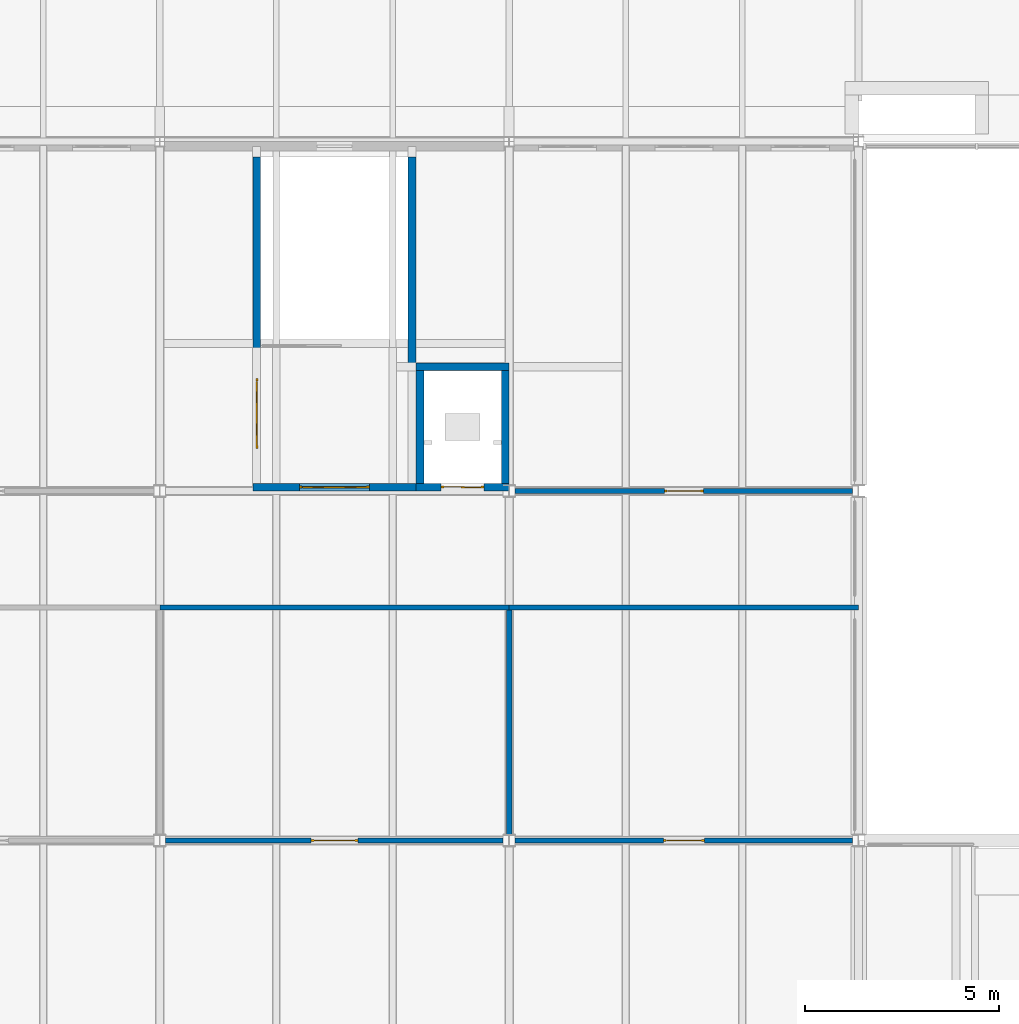
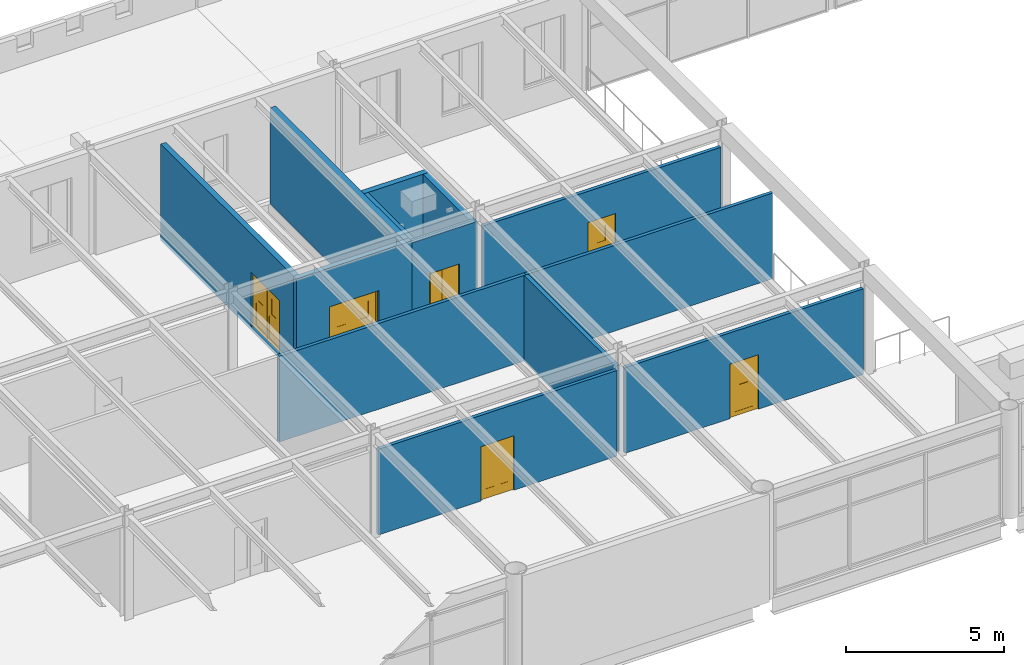
# One storey, part 73 of 123: 13 walls, 6 doors, 6 openings.
"""IFC4 building model written with IfcOpenShell, lengths in metres."""

from ifc_helpers import new_model, si_unit, direction, frame, frame_2d, origin, place, context, subcontext, project, spatial, polyline, rectangle, outline, extrude, material, layer, layer_set, type_object, element, fill, save


model = new_model("IFC4")

# Units and contexts
model_context = context("Model", 3, precision=1e-05, world=origin(), true_north=direction((0.0, 1.0)))
body_context = subcontext(model_context, "Body", "Model", "MODEL_VIEW")
ifc_project = project(units=[si_unit("LENGTHUNIT", "METRE"), si_unit("AREAUNIT", "SQUARE_METRE"), si_unit("VOLUMEUNIT", "CUBIC_METRE"), si_unit("PLANEANGLEUNIT", "RADIAN"), si_unit("MASSUNIT", "GRAM", prefix="KILO")], contexts=[model_context])

# Site, building, storey
site_placement = place(None, origin())
site = spatial("IfcSite", under=ifc_project, at=site_placement, CompositionType="ELEMENT")
building_placement = place(site_placement, origin())
building = spatial("IfcBuilding", under=site, at=building_placement, Name="Baradari Gate Terminus", CompositionType="ELEMENT")
storey_placement = place(building_placement, frame((0.0, 0.0, 7.5)))
storey = spatial("IfcBuildingStorey", under=building, at=storey_placement, Name="L01", CompositionType="ELEMENT", Elevation=7.5)

# Walls
ifc_material_1 = material(Name="Gypsum board")
ifc_layer_1 = layer(ifc_material_1, 0.125)
ifc_layer_set_1 = layer_set([ifc_layer_1], Name="Gypsum board")
wall_type_1 = type_object("IfcWallType", Name="Corridor partition PT-5 125 EI 30", PredefinedType="PARTITIONING", material=ifc_layer_set_1)
for number, where, z_axis, x_axis, name in (
    (1, (126.0, 96.0, 0.0), (0.0, 0.0, 1.0), (-1.0, 0.0, 0.0), "PT-5 partition Corridor (Service Corridor West) / Station Office 5"),
    (2, (135.0, 96.0, 0.0), (0.0, 0.0, 1.0), (-1.0, 0.0, 0.0), "PT-5 partition Corridor (Service Corridor West) / Meeting Room 1"),
):
    element("IfcWall", number, at=place(storey_placement, frame(where, z_axis=z_axis, x_axis=x_axis)), inside=storey, type_object=wall_type_1, Name=name, PredefinedType="PARTITIONING", context=body_context, shape_type="SweptSolid", body=[
        extrude(rectangle(XDim=9.0, YDim=0.125, at=frame_2d((4.5, 0.0))), origin(), (0.0, 0.0, 1.0), 3.306884765625),
    ])

# Wall, opening, door
wall_1_placement = place(storey_placement, frame((126.15380859375, 99.0, 0.0), z_axis=(0.0, 0.0, 1.0), x_axis=(1.0, 0.0, 0.0)))
wall_1 = element("IfcWall", 3, at=wall_1_placement, inside=storey, type_object=wall_type_1, Name="PT-5 partition Corridor (Service Corridor West) / Staff Room 3", PredefinedType="PARTITIONING", context=body_context, shape_type="SweptSolid", body=[
    extrude(rectangle(XDim=8.6923828125, YDim=0.125, at=frame_2d((4.34619140625, 0.0))), origin(), (0.0, 0.0, 1.0), 3.306884765625),
])
opening_1_placement = place(wall_1_placement, frame((3.84619140625, 0.0, 0.0)))
opening_1 = element("IfcOpeningElement", 4, at=opening_1_placement, cuts=wall_1, Name="Opening D01-057", PredefinedType="OPENING", context=body_context, shape_type="SweptSolid", body=[
    extrude(rectangle(XDim=1.0, YDim=2.10009765625, at=frame_2d((0.5, 1.050048828125))), frame((0.0, 0.072509765625, 0.0), z_axis=(0.0, -1.0, 0.0), x_axis=(1.0, 0.0, 0.0)), (0.0, 0.0, 1.0), 0.14501953125),
])
ifc_material_2 = material(Name="Steel S275", Category="steel")
door_type_1 = type_object("IfcDoorType", Name="Fire door FI-1000-FD30S 1000x2100 FD30S", OperationType="SINGLE_SWING_LEFT", PredefinedType="DOOR", material=ifc_material_2)
door_1_placement = place(opening_1_placement, origin())
door_1 = element("IfcDoor", 5, at=door_1_placement, inside=storey, type_object=door_type_1, Name="Door Staff Room 3", OperationType="SINGLE_SWING_LEFT", OverallHeight=2.1, OverallWidth=1.0, PredefinedType="DOOR", context=body_context, shape_type="SweptSolid", body=[
    extrude(outline(polyline([(0.0, 0.0), (0.070068359375, 0.0), (0.070068359375, 2.030029296875), (0.929931640625, 2.030029296875), (0.929931640625, 0.0), (1.0, 0.0), (1.0, 2.10009765625), (0.0, 2.10009765625), (0.0, 0.0)])), frame((0.0, 0.02490234375, 0.0), z_axis=(0.0, -1.0, 0.0), x_axis=(1.0, 0.0, 0.0)), (0.0, 0.0, 1.0), 0.050048828125),
    extrude(outline(polyline([(0.073974609375, 0.010009765625), (0.926025390625, 0.010009765625), (0.926025390625, 2.026123046875), (0.073974609375, 2.026123046875), (0.073974609375, 0.010009765625)]), holes=[polyline([(0.194091796875, 0.159912109375), (0.805908203125, 0.159912109375), (0.805908203125, 1.010009765625), (0.194091796875, 1.010009765625), (0.194091796875, 0.159912109375)]), polyline([(0.35009765625, 1.159912109375), (0.64990234375, 1.159912109375), (0.64990234375, 1.760009765625), (0.35009765625, 1.760009765625), (0.35009765625, 1.159912109375)])]), frame((0.0, 0.017333984375, 0.0), z_axis=(0.0, -1.0, 0.0), x_axis=(1.0, 0.0, 0.0)), (0.0, 0.0, 1.0), 0.034912109375),
    extrude(rectangle(XDim=0.61181640625, YDim=0.85009765625, at=frame_2d((0.5, 0.5849609375))), frame((0.0, 0.008544921875, 0.0), z_axis=(0.0, -1.0, 0.0), x_axis=(1.0, 0.0, 0.0)), (0.0, 0.0, 1.0), 0.017333984375),
    extrude(rectangle(XDim=0.2998046875, YDim=0.60009765625, at=frame_2d((0.5, 1.4599609375))), frame((0.0, 0.005859375, 0.0), z_axis=(0.0, -1.0, 0.0), x_axis=(1.0, 0.0, 0.0)), (0.0, 0.0, 1.0), 0.011962890625),
])
fill(opening_1, door_1)

wall_2_placement = place(storey_placement, frame((117.15380859375, 90.0, 0.0), z_axis=(0.0, 0.0, 1.0), x_axis=(1.0, 0.0, 0.0)))
wall_2 = element("IfcWall", 6, at=wall_2_placement, inside=storey, type_object=wall_type_1, Name="PT-5 partition Gallery / Station Office 5", PredefinedType="PARTITIONING", context=body_context, shape_type="SweptSolid", body=[
    extrude(rectangle(XDim=8.6923828125, YDim=0.125, at=frame_2d((4.34619140625, 0.0))), origin(), (0.0, 0.0, 1.0), 3.306884765625),
])
opening_2_placement = place(wall_2_placement, frame((3.746337890625, 0.0, 0.0)))
opening_2 = element("IfcOpeningElement", 7, at=opening_2_placement, cuts=wall_2, Name="Opening D01-040", PredefinedType="OPENING", context=body_context, shape_type="SweptSolid", body=[
    extrude(rectangle(XDim=1.199951171875, YDim=2.10009765625, at=frame_2d((0.60009765625, 1.050048828125))), frame((0.0, 0.072509765625, 0.0), z_axis=(0.0, -1.0, 0.0), x_axis=(1.0, 0.0, 0.0)), (0.0, 0.0, 1.0), 0.14501953125),
])
ifc_material_3 = material(Name="Steel S275", Category="steel")
door_type_2 = type_object("IfcDoorType", Name="Fire door FI-1200-FD30S 1200x2100 FD30S", OperationType="DOUBLE_DOOR_SINGLE_SWING", PredefinedType="DOOR", material=ifc_material_3)
door_2_placement = place(opening_2_placement, origin())
door_2 = element("IfcDoor", 8, at=door_2_placement, inside=storey, type_object=door_type_2, Name="Door Station Office 5", OperationType="DOUBLE_DOOR_SINGLE_SWING", OverallHeight=2.1, OverallWidth=1.2, PredefinedType="DOOR", context=body_context, shape_type="SweptSolid", body=[
    extrude(outline(polyline([(0.0, 0.0), (0.070068359375, 0.0), (0.070068359375, 2.030029296875), (1.1298828125, 2.030029296875), (1.1298828125, 0.0), (1.199951171875, 0.0), (1.199951171875, 2.10009765625), (0.0, 2.10009765625), (0.0, 0.0)])), frame((0.0, 0.02490234375, 0.0), z_axis=(0.0, -1.0, 0.0), x_axis=(1.0, 0.0, 0.0)), (0.0, 0.0, 1.0), 0.050048828125),
    extrude(outline(polyline([(0.073974609375, 0.010009765625), (0.596923828125, 0.010009765625), (0.596923828125, 2.026123046875), (0.073974609375, 2.026123046875), (0.073974609375, 0.010009765625)]), holes=[polyline([(0.178466796875, 0.372802734375), (0.492431640625, 0.372802734375), (0.492431640625, 1.7841796875), (0.178466796875, 1.7841796875), (0.178466796875, 0.372802734375)])]), frame((0.0, 0.017333984375, 0.0), z_axis=(0.0, -1.0, 0.0), x_axis=(1.0, 0.0, 0.0)), (0.0, 0.0, 1.0), 0.034912109375),
    extrude(rectangle(XDim=0.31396484375, YDim=1.411376953125, at=frame_2d((0.33544921875, 1.07861328125))), frame((0.0, 0.008544921875, 0.0), z_axis=(0.0, -1.0, 0.0), x_axis=(1.0, 0.0, 0.0)), (0.0, 0.0, 1.0), 0.017333984375),
    extrude(outline(polyline([(0.60302734375, 0.010009765625), (1.1259765625, 0.010009765625), (1.1259765625, 2.026123046875), (0.60302734375, 2.026123046875), (0.60302734375, 0.010009765625)]), holes=[polyline([(0.70751953125, 0.372802734375), (1.021484375, 0.372802734375), (1.021484375, 1.7841796875), (0.70751953125, 1.7841796875), (0.70751953125, 0.372802734375)])]), frame((0.0, 0.017333984375, 0.0), z_axis=(0.0, -1.0, 0.0), x_axis=(1.0, 0.0, 0.0)), (0.0, 0.0, 1.0), 0.034912109375),
    extrude(rectangle(XDim=0.31396484375, YDim=1.411376953125, at=frame_2d((0.864501953125, 1.07861328125))), frame((0.0, 0.008544921875, 0.0), z_axis=(0.0, -1.0, 0.0), x_axis=(1.0, 0.0, 0.0)), (0.0, 0.0, 1.0), 0.017333984375),
])
fill(opening_2, door_2)

wall_3_placement = place(storey_placement, frame((126.15380859375, 90.0, 0.0), z_axis=(0.0, 0.0, 1.0), x_axis=(1.0, 0.0, 0.0)))
wall_3 = element("IfcWall", 9, at=wall_3_placement, inside=storey, type_object=wall_type_1, Name="PT-5 partition Gallery / Meeting Room 1", PredefinedType="PARTITIONING", context=body_context, shape_type="SweptSolid", body=[
    extrude(rectangle(XDim=8.6923828125, YDim=0.125, at=frame_2d((4.34619140625, 0.0))), origin(), (0.0, 0.0, 1.0), 3.306884765625),
])
opening_3_placement = place(wall_3_placement, frame((3.8212890625, 0.0, 0.0)))
opening_3 = element("IfcOpeningElement", 10, at=opening_3_placement, cuts=wall_3, Name="Opening D01-041", PredefinedType="OPENING", context=body_context, shape_type="SweptSolid", body=[
    extrude(rectangle(XDim=1.050048828125, YDim=2.10009765625, at=frame_2d((0.52490234375, 1.050048828125))), frame((0.0, 0.072509765625, 0.0), z_axis=(0.0, -1.0, 0.0), x_axis=(1.0, 0.0, 0.0)), (0.0, 0.0, 1.0), 0.14501953125),
])
ifc_material_4 = material(Name="Steel S275", Category="steel")
door_type_3 = type_object("IfcDoorType", Name="Fire door FI-1050-FD30S 1050x2100 FD30S", OperationType="SINGLE_SWING_LEFT", PredefinedType="DOOR", material=ifc_material_4)
door_3_placement = place(opening_3_placement, origin())
door_3 = element("IfcDoor", 11, at=door_3_placement, inside=storey, type_object=door_type_3, Name="Door Meeting Room 1", OperationType="SINGLE_SWING_LEFT", OverallHeight=2.1, OverallWidth=1.05, PredefinedType="DOOR", context=body_context, shape_type="SweptSolid", body=[
    extrude(outline(polyline([(0.0, 0.0), (0.070068359375, 0.0), (0.070068359375, 2.030029296875), (0.97998046875, 2.030029296875), (0.97998046875, 0.0), (1.050048828125, 0.0), (1.050048828125, 2.10009765625), (0.0, 2.10009765625), (0.0, 0.0)])), frame((0.0, 0.02490234375, 0.0), z_axis=(0.0, -1.0, 0.0), x_axis=(1.0, 0.0, 0.0)), (0.0, 0.0, 1.0), 0.050048828125),
    extrude(outline(polyline([(0.073974609375, 0.010009765625), (0.97607421875, 0.010009765625), (0.97607421875, 2.026123046875), (0.073974609375, 2.026123046875), (0.073974609375, 0.010009765625)]), holes=[polyline([(0.194091796875, 0.159912109375), (0.85595703125, 0.159912109375), (0.85595703125, 1.010009765625), (0.194091796875, 1.010009765625), (0.194091796875, 0.159912109375)]), polyline([(0.375, 1.159912109375), (0.675048828125, 1.159912109375), (0.675048828125, 1.760009765625), (0.375, 1.760009765625), (0.375, 1.159912109375)])]), frame((0.0, 0.017333984375, 0.0), z_axis=(0.0, -1.0, 0.0), x_axis=(1.0, 0.0, 0.0)), (0.0, 0.0, 1.0), 0.034912109375),
    extrude(rectangle(XDim=0.661865234375, YDim=0.85009765625, at=frame_2d((0.52490234375, 0.5849609375))), frame((0.0, 0.008544921875, 0.0), z_axis=(0.0, -1.0, 0.0), x_axis=(1.0, 0.0, 0.0)), (0.0, 0.0, 1.0), 0.017333984375),
    extrude(rectangle(XDim=0.300048828125, YDim=0.60009765625, at=frame_2d((0.52490234375, 1.4599609375))), frame((0.0, 0.005859375, 0.0), z_axis=(0.0, -1.0, 0.0), x_axis=(1.0, 0.0, 0.0)), (0.0, 0.0, 1.0), 0.011962890625),
])
fill(opening_3, door_3)

ifc_material_5 = material(Name="Blockwork wall, fire rated", Category="masonry")
ifc_layer_2 = layer(ifc_material_5, 0.199951171875)
ifc_layer_set_2 = layer_set([ifc_layer_2], Name="Blockwork wall, fire rated")
wall_type_2 = type_object("IfcWallType", Name="Lift shaft wall SH-1 200 EI 120", PredefinedType="SOLIDWALL", material=ifc_layer_set_2)
wall_4_placement = place(storey_placement, frame((123.60205078125, 99.10009765625, 0.0), z_axis=(0.0, 0.0, 1.0), x_axis=(1.0, 0.0, 0.0)))
wall_4 = element("IfcWall", 12, at=wall_4_placement, inside=storey, type_object=wall_type_2, Name="Lift shaft wall LH2 L01 S", PredefinedType="SOLIDWALL", context=body_context, shape_type="SweptSolid", body=[
    extrude(rectangle(XDim=2.39794921875, YDim=0.199951171875, at=frame_2d((1.198974609375, 0.0))), origin(), (0.0, 0.0, 1.0), 3.51611328125),
])
opening_4_placement = place(wall_4_placement, frame((0.64794921875, 0.0, 0.0)))
opening_4 = element("IfcOpeningElement", 13, at=opening_4_placement, cuts=wall_4, Name="Opening D01-006", PredefinedType="OPENING", context=body_context, shape_type="SweptSolid", body=[
    extrude(rectangle(XDim=1.10009765625, YDim=2.10009765625, at=frame_2d((0.550048828125, 1.050048828125))), frame((0.0, 0.10986328125, 0.0), z_axis=(0.0, -1.0, 0.0), x_axis=(1.0, 0.0, 0.0)), (0.0, 0.0, 1.0), 0.219970703125),
])
ifc_material_6 = material(Name="Stainless steel 1.4301", Category="steel")
door_type_4 = type_object("IfcDoorType", Name="Lift landing door LD 1100x2100 E 120", OperationType="SLIDING_TO_LEFT", PredefinedType="DOOR", material=ifc_material_6)
door_4_placement = place(opening_4_placement, origin())
door_4 = element("IfcDoor", 14, at=door_4_placement, inside=storey, type_object=door_type_4, Name="Lift landing door LH2 L01", OperationType="SLIDING_TO_LEFT", OverallHeight=2.1, OverallWidth=1.1, PredefinedType="DOOR", context=body_context, shape_type="SweptSolid", body=[
    extrude(outline(polyline([(0.0, 0.0), (0.070068359375, 0.0), (0.070068359375, 2.030029296875), (1.030029296875, 2.030029296875), (1.030029296875, 0.0), (1.10009765625, 0.0), (1.10009765625, 2.10009765625), (0.0, 2.10009765625), (0.0, 0.0)])), frame((0.0, 0.02490234375, 0.0), z_axis=(0.0, -1.0, 0.0), x_axis=(1.0, 0.0, 0.0)), (0.0, 0.0, 1.0), 0.050048828125),
    extrude(rectangle(XDim=0.523681640625, YDim=2.01611328125, at=frame_2d((0.3359375, 1.01806640625))), frame((0.0, 0.017822265625, 0.0), z_axis=(0.0, -1.0, 0.0), x_axis=(1.0, 0.0, 0.0)), (0.0, 0.0, 1.0), 0.015869140625),
    extrude(rectangle(XDim=0.519775390625, YDim=2.01611328125, at=frame_2d((0.76611328125, 1.01806640625))), frame((0.0, -0.002197265625, 0.0), z_axis=(0.0, -1.0, 0.0), x_axis=(1.0, 0.0, 0.0)), (0.0, 0.0, 1.0), 0.015869140625),
])
fill(opening_4, door_4)

# Walls
wall_5_placement = place(storey_placement, frame((123.60205078125, 102.199951171875, 0.0), z_axis=(0.0, 0.0, 1.0), x_axis=(1.0, 0.0, 0.0)))
element("IfcWall", 15, at=wall_5_placement, inside=storey, type_object=wall_type_2, Name="Lift shaft wall LH2 L01 N", PredefinedType="SOLIDWALL", context=body_context, shape_type="SweptSolid", body=[
    extrude(rectangle(XDim=2.39794921875, YDim=0.199951171875, at=frame_2d((1.198974609375, 0.0))), origin(), (0.0, 0.0, 1.0), 3.51611328125),
])
for number, where, z_axis, x_axis, name in (
    (16, (123.699951171875, 99.199951171875, 0.0), (0.0, 0.0, 1.0), (0.0, 1.0, 0.0), "Lift shaft wall LH2 L01 W"),
    (17, (125.89990234375, 99.199951171875, 0.0), (0.0, 0.0, 1.0), (0.0, 1.0, 0.0), "Lift shaft wall LH2 L01 E"),
):
    element("IfcWall", number, at=place(storey_placement, frame(where, z_axis=z_axis, x_axis=x_axis)), inside=storey, type_object=wall_type_2, Name=name, PredefinedType="SOLIDWALL", context=body_context, shape_type="SweptSolid", body=[
        extrude(rectangle(XDim=2.900146484375, YDim=0.199951171875, at=frame_2d((1.4501953125, 0.0))), origin(), (0.0, 0.0, 1.0), 3.51611328125),
    ])
ifc_material_7 = material(Name="Blockwork wall, plastered", Category="masonry")
ifc_layer_3 = layer(ifc_material_7, 0.14990234375)
ifc_layer_set_3 = layer_set([ifc_layer_3], Name="Blockwork wall, plastered")
wall_type_3 = type_object("IfcWallType", Name="Partition PT-2 150 EI 60", PredefinedType="PARTITIONING", material=ifc_layer_set_3)
wall_6_placement = place(storey_placement, frame((126.0, 95.9375, 0.0), z_axis=(0.0, 0.0, 1.0), x_axis=(0.0, -1.0, 0.0)))
element("IfcWall", 18, at=wall_6_placement, inside=storey, type_object=wall_type_3, Name="PT-2 partition Station Office 5 / Meeting Room 1", PredefinedType="PARTITIONING", context=body_context, shape_type="SweptSolid", body=[
    extrude(rectangle(XDim=5.7802734375, YDim=0.14990234375, at=frame_2d((2.89013671875, 0.0))), origin(), (0.0, 0.0, 1.0), 3.306884765625),
])

# Wall, opening, door
ifc_material_8 = material(Name="Concrete C40/50", Category="concrete")
ifc_layer_4 = layer(ifc_material_8, 0.199951171875)
ifc_layer_set_4 = layer_set([ifc_layer_4], Name="Concrete C40/50")
wall_type_4 = type_object("IfcWallType", Name="Stair enclosure wall SE-5 200 EI 120", PredefinedType="SOLIDWALL", material=ifc_layer_set_4)
wall_7_placement = place(storey_placement, frame((119.39990234375, 99.10009765625, -0.1298828125), z_axis=(0.0, 0.0, 1.0), x_axis=(1.0, 0.0, 0.0)))
wall_7 = element("IfcWall", 19, at=wall_7_placement, inside=storey, type_object=wall_type_4, Name="Stair enclosure wall SE-5 ST-H2 L01 S", PredefinedType="SOLIDWALL", context=body_context, shape_type="SweptSolid", body=[
    extrude(rectangle(XDim=4.2001953125, YDim=0.199951171875, at=frame_2d((2.10009765625, 0.0))), origin(), (0.0, 0.0, 1.0), 3.719970703125),
])
opening_5_placement = place(wall_7_placement, frame((1.199951171875, 0.0, 0.1298828125)))
opening_5 = element("IfcOpeningElement", 20, at=opening_5_placement, cuts=wall_7, Name="Opening D01-064", PredefinedType="OPENING", context=body_context, shape_type="SweptSolid", body=[
    extrude(rectangle(XDim=1.800048828125, YDim=2.10009765625, at=frame_2d((0.89990234375, 1.050048828125))), frame((0.0, 0.10986328125, 0.0), z_axis=(0.0, -1.0, 0.0), x_axis=(1.0, 0.0, 0.0)), (0.0, 0.0, 1.0), 0.219970703125),
])
ifc_material_9 = material(Name="Steel S275", Category="steel")
door_type_5 = type_object("IfcDoorType", Name="Fire door FI-1800-FD90S 1800x2100 FD90S", OperationType="DOUBLE_DOOR_SINGLE_SWING", PredefinedType="DOOR", material=ifc_material_9)
door_5_placement = place(opening_5_placement, origin())
door_5 = element("IfcDoor", 21, at=door_5_placement, inside=storey, type_object=door_type_5, Name="Door Stair (Head-house) 2", OperationType="DOUBLE_DOOR_SINGLE_SWING", OverallHeight=2.1, OverallWidth=1.8, PredefinedType="DOOR", context=body_context, shape_type="SweptSolid", body=[
    extrude(outline(polyline([(0.0, 0.0), (0.070068359375, 0.0), (0.070068359375, 2.030029296875), (1.72998046875, 2.030029296875), (1.72998046875, 0.0), (1.800048828125, 0.0), (1.800048828125, 2.10009765625), (0.0, 2.10009765625), (0.0, 0.0)])), frame((0.0, 0.02490234375, 0.0), z_axis=(0.0, -1.0, 0.0), x_axis=(1.0, 0.0, 0.0)), (0.0, 0.0, 1.0), 0.050048828125),
    extrude(outline(polyline([(0.073974609375, 0.010009765625), (0.89697265625, 0.010009765625), (0.89697265625, 2.026123046875), (0.073974609375, 2.026123046875), (0.073974609375, 0.010009765625)]), holes=[polyline([(0.194091796875, 0.159912109375), (0.77685546875, 0.159912109375), (0.77685546875, 1.010009765625), (0.194091796875, 1.010009765625), (0.194091796875, 0.159912109375)]), polyline([(0.33544921875, 1.159912109375), (0.635498046875, 1.159912109375), (0.635498046875, 1.760009765625), (0.33544921875, 1.760009765625), (0.33544921875, 1.159912109375)])]), frame((0.0, 0.017333984375, 0.0), z_axis=(0.0, -1.0, 0.0), x_axis=(1.0, 0.0, 0.0)), (0.0, 0.0, 1.0), 0.034912109375),
    extrude(rectangle(XDim=0.582763671875, YDim=0.85009765625, at=frame_2d((0.4853515625, 0.5849609375))), frame((0.0, 0.008544921875, 0.0), z_axis=(0.0, -1.0, 0.0), x_axis=(1.0, 0.0, 0.0)), (0.0, 0.0, 1.0), 0.017333984375),
    extrude(rectangle(XDim=0.300048828125, YDim=0.60009765625, at=frame_2d((0.4853515625, 1.4599609375))), frame((0.0, 0.005859375, 0.0), z_axis=(0.0, -1.0, 0.0), x_axis=(1.0, 0.0, 0.0)), (0.0, 0.0, 1.0), 0.011962890625),
    extrude(outline(polyline([(0.903076171875, 0.010009765625), (1.72607421875, 0.010009765625), (1.72607421875, 2.026123046875), (0.903076171875, 2.026123046875), (0.903076171875, 0.010009765625)]), holes=[polyline([(1.023193359375, 0.159912109375), (1.60595703125, 0.159912109375), (1.60595703125, 1.010009765625), (1.023193359375, 1.010009765625), (1.023193359375, 0.159912109375)]), polyline([(1.16455078125, 1.159912109375), (1.464599609375, 1.159912109375), (1.464599609375, 1.760009765625), (1.16455078125, 1.760009765625), (1.16455078125, 1.159912109375)])]), frame((0.0, 0.017333984375, 0.0), z_axis=(0.0, -1.0, 0.0), x_axis=(1.0, 0.0, 0.0)), (0.0, 0.0, 1.0), 0.034912109375),
    extrude(rectangle(XDim=0.582763671875, YDim=0.85009765625, at=frame_2d((1.314453125, 0.5849609375))), frame((0.0, 0.008544921875, 0.0), z_axis=(0.0, -1.0, 0.0), x_axis=(1.0, 0.0, 0.0)), (0.0, 0.0, 1.0), 0.017333984375),
    extrude(rectangle(XDim=0.300048828125, YDim=0.60009765625, at=frame_2d((1.314453125, 1.4599609375))), frame((0.0, 0.005859375, 0.0), z_axis=(0.0, -1.0, 0.0), x_axis=(1.0, 0.0, 0.0)), (0.0, 0.0, 1.0), 0.011962890625),
])
fill(opening_5, door_5)

wall_8_placement = place(storey_placement, frame((119.5, 99.199951171875, -0.1298828125), z_axis=(0.0, 0.0, 1.0), x_axis=(0.0, 1.0, 0.0)))
wall_8 = element("IfcWall", 22, at=wall_8_placement, inside=storey, type_object=wall_type_4, Name="Stair enclosure wall SE-5 ST-H2 L01 W", PredefinedType="SOLIDWALL", context=body_context, shape_type="SweptSolid", body=[
    extrude(rectangle(XDim=8.400146484375, YDim=0.199951171875, at=frame_2d((4.2001953125, 0.0))), origin(), (0.0, 0.0, 1.0), 3.719970703125),
])
opening_6_placement = place(wall_8_placement, frame((0.89990234375, 0.0, 0.1298828125)))
opening_6 = element("IfcOpeningElement", 23, at=opening_6_placement, cuts=wall_8, Name="Opening D01-063", PredefinedType="OPENING", context=body_context, shape_type="SweptSolid", body=[
    extrude(rectangle(XDim=1.800048828125, YDim=2.10009765625, at=frame_2d((0.89990234375, 1.050048828125))), frame((0.0, 0.10986328125, 0.0), z_axis=(0.0, -1.0, 0.0), x_axis=(1.0, 0.0, 0.0)), (0.0, 0.0, 1.0), 0.219970703125),
])
door_6_placement = place(opening_6_placement, frame((1.800048828125, 0.0, 0.0), z_axis=(0.0, 0.0, 1.0), x_axis=(-1.0, 0.0, 0.0)))
door_6 = element("IfcDoor", 24, at=door_6_placement, inside=storey, type_object=door_type_5, Name="Door Stair (Head-house) 2", OperationType="DOUBLE_DOOR_SINGLE_SWING", OverallHeight=2.1, OverallWidth=1.8, PredefinedType="DOOR", context=body_context, shape_type="SweptSolid", body=[
    extrude(outline(polyline([(0.0, 0.0), (0.070068359375, 0.0), (0.070068359375, 2.030029296875), (1.72998046875, 2.030029296875), (1.72998046875, 0.0), (1.800048828125, 0.0), (1.800048828125, 2.10009765625), (0.0, 2.10009765625), (0.0, 0.0)])), frame((0.0, 0.02490234375, 0.0), z_axis=(0.0, -1.0, 0.0), x_axis=(1.0, 0.0, 0.0)), (0.0, 0.0, 1.0), 0.050048828125),
    extrude(outline(polyline([(0.073974609375, 0.010009765625), (0.89697265625, 0.010009765625), (0.89697265625, 2.026123046875), (0.073974609375, 2.026123046875), (0.073974609375, 0.010009765625)]), holes=[polyline([(0.194091796875, 0.159912109375), (0.77685546875, 0.159912109375), (0.77685546875, 1.010009765625), (0.194091796875, 1.010009765625), (0.194091796875, 0.159912109375)]), polyline([(0.33544921875, 1.159912109375), (0.635498046875, 1.159912109375), (0.635498046875, 1.760009765625), (0.33544921875, 1.760009765625), (0.33544921875, 1.159912109375)])]), frame((0.0, 0.017333984375, 0.0), z_axis=(0.0, -1.0, 0.0), x_axis=(1.0, 0.0, 0.0)), (0.0, 0.0, 1.0), 0.034912109375),
    extrude(rectangle(XDim=0.582763671875, YDim=0.85009765625, at=frame_2d((0.4853515625, 0.5849609375))), frame((0.0, 0.008544921875, 0.0), z_axis=(0.0, -1.0, 0.0), x_axis=(1.0, 0.0, 0.0)), (0.0, 0.0, 1.0), 0.017333984375),
    extrude(rectangle(XDim=0.300048828125, YDim=0.60009765625, at=frame_2d((0.4853515625, 1.4599609375))), frame((0.0, 0.005859375, 0.0), z_axis=(0.0, -1.0, 0.0), x_axis=(1.0, 0.0, 0.0)), (0.0, 0.0, 1.0), 0.011962890625),
    extrude(outline(polyline([(0.903076171875, 0.010009765625), (1.72607421875, 0.010009765625), (1.72607421875, 2.026123046875), (0.903076171875, 2.026123046875), (0.903076171875, 0.010009765625)]), holes=[polyline([(1.023193359375, 0.159912109375), (1.60595703125, 0.159912109375), (1.60595703125, 1.010009765625), (1.023193359375, 1.010009765625), (1.023193359375, 0.159912109375)]), polyline([(1.16455078125, 1.159912109375), (1.464599609375, 1.159912109375), (1.464599609375, 1.760009765625), (1.16455078125, 1.760009765625), (1.16455078125, 1.159912109375)])]), frame((0.0, 0.017333984375, 0.0), z_axis=(0.0, -1.0, 0.0), x_axis=(1.0, 0.0, 0.0)), (0.0, 0.0, 1.0), 0.034912109375),
    extrude(rectangle(XDim=0.582763671875, YDim=0.85009765625, at=frame_2d((1.314453125, 0.5849609375))), frame((0.0, 0.008544921875, 0.0), z_axis=(0.0, -1.0, 0.0), x_axis=(1.0, 0.0, 0.0)), (0.0, 0.0, 1.0), 0.017333984375),
    extrude(rectangle(XDim=0.300048828125, YDim=0.60009765625, at=frame_2d((1.314453125, 1.4599609375))), frame((0.0, 0.005859375, 0.0), z_axis=(0.0, -1.0, 0.0), x_axis=(1.0, 0.0, 0.0)), (0.0, 0.0, 1.0), 0.011962890625),
])
fill(opening_6, door_6)

# Wall
wall_9_placement = place(storey_placement, frame((123.5, 99.199951171875, -0.1298828125), z_axis=(0.0, 0.0, 1.0), x_axis=(0.0, 1.0, 0.0)))
element("IfcWall", 25, at=wall_9_placement, inside=storey, type_object=wall_type_4, Name="Stair enclosure wall SE-5 ST-H2 L01 E", PredefinedType="SOLIDWALL", context=body_context, shape_type="SweptSolid", body=[
    extrude(rectangle(XDim=8.400146484375, YDim=0.199951171875, at=frame_2d((4.2001953125, 0.0))), origin(), (0.0, 0.0, 1.0), 3.719970703125),
])

save(model, "model.ifc")
